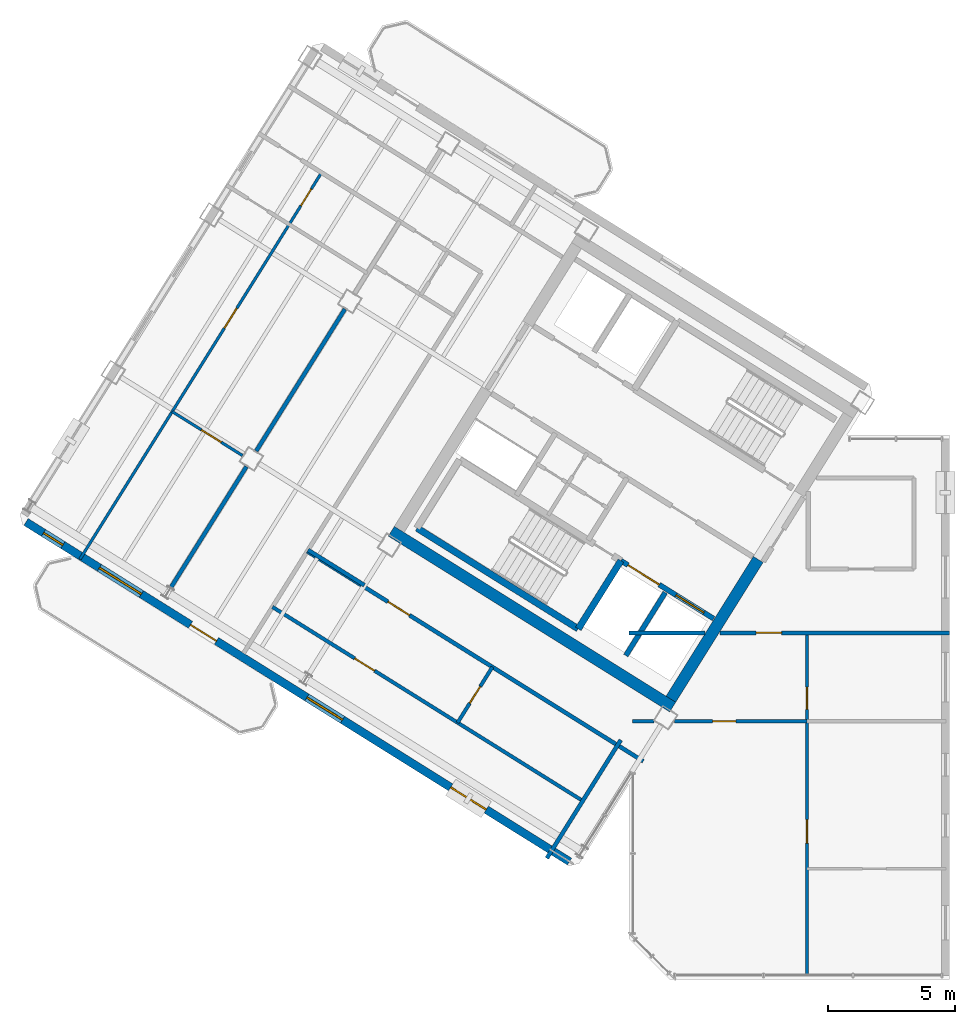
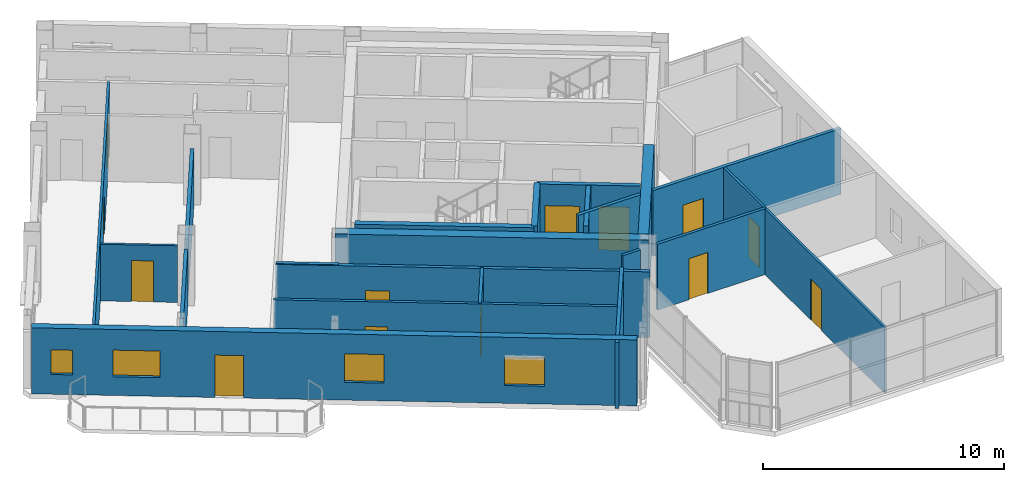
# One storey, part 7 of 12: 21 walls, 13 doors, 4 windows, 17 openings.
"""IFC4 building model written with IfcOpenShell, lengths in metres."""

from ifc_helpers import new_model, si_unit, direction, frame, frame_2d, origin, place, context, subcontext, project, spatial, rectangle, extrude, source, transform, mapped, material, layer, layer_set, type_object, element, fill, save


model = new_model("IFC4")

# Units and contexts
model_context = context("Model", 3, precision=1e-05, world=origin(), true_north=direction((0.0, 1.0)))
body_context = subcontext(model_context, "Body", "Model", "MODEL_VIEW")
ifc_project = project(units=[si_unit("LENGTHUNIT", "METRE"), si_unit("AREAUNIT", "SQUARE_METRE"), si_unit("VOLUMEUNIT", "CUBIC_METRE"), si_unit("PLANEANGLEUNIT", "RADIAN"), si_unit("MASSUNIT", "GRAM", prefix="KILO")], contexts=[model_context])

# Site, building, storey
site_placement = place(None, origin())
site = spatial("IfcSite", under=ifc_project, at=site_placement, CompositionType="ELEMENT")
building_placement = place(site_placement, origin())
building = spatial("IfcBuilding", under=site, at=building_placement, Name="Tlacorven Tower", CompositionType="ELEMENT")
storey_placement = place(building_placement, frame((0.0, 0.0, 288.0)))
storey = spatial("IfcBuildingStorey", under=building, at=storey_placement, Name="L73", CompositionType="ELEMENT", Elevation=288.0)

# Walls
ifc_material_1 = material(Name="Concrete C50/60", Category="concrete")
ifc_layer_1 = layer(ifc_material_1, 0.449951171875)
ifc_layer_set_1 = layer_set([ifc_layer_1], Name="Concrete C50/60")
wall_type_1 = type_object("IfcWallType", Name="WL-COR-450", PredefinedType="SHEAR", material=ifc_layer_set_1)
wall_1_placement = place(storey_placement, frame((33.32373046875, 12.5029296875, 0.0), z_axis=(0.0, 0.0, 1.0), x_axis=(-0.848043529849, 0.529926571782, 0.0)))
element("IfcWall", 1, at=wall_1_placement, inside=storey, type_object=wall_type_1, Name="L73 W core shear wall S2", PredefinedType="SHEAR", context=body_context, shape_type="SweptSolid", body=[
    extrude(rectangle(XDim=13.039794921875, YDim=0.449951171875, at=frame_2d((6.52001953125, 0.0))), origin(), (0.0, 0.0, 1.0), 3.35009765625),
])
wall_2_placement = place(storey_placement, frame((36.683349609375, 18.30419921875, 0.0), z_axis=(0.0, 0.0, 1.0), x_axis=(-0.529904039071, -0.848057609704, 0.0)))
element("IfcWall", 2, at=wall_2_placement, inside=storey, type_object=wall_type_1, Name="L73 W core end wall E1.2", PredefinedType="SHEAR", context=body_context, shape_type="SweptSolid", body=[
    extrude(rectangle(XDim=6.47509765625, YDim=0.449951171875, at=frame_2d((3.237548828125, 0.0))), origin(), (0.0, 0.0, 1.0), 3.35009765625),
])
ifc_material_2 = material(Name="Gypsum plasterboard acoustic partition", Category="gypsum")
ifc_layer_2 = layer(ifc_material_2, 0.159912109375)
ifc_layer_set_2 = layer_set([ifc_layer_2], Name="Gypsum plasterboard acoustic partition")
wall_type_2 = type_object("IfcWallType", Name="WL-DEM-160", PredefinedType="PARTITIONING", material=ifc_layer_set_2)
wall_3_placement = place(storey_placement, frame((21.20556640625, 17.29248046875, 0.0), z_axis=(0.0, 0.0, 1.0), x_axis=(-0.848050851465, 0.529914854792, 0.0)))
element("IfcWall", 3, at=wall_3_placement, inside=storey, type_object=wall_type_2, Name="L73 partition 23", PredefinedType="PARTITIONING", context=body_context, shape_type="SweptSolid", body=[
    extrude(rectangle(XDim=2.60986328125, YDim=0.159912109375, at=frame_2d((1.304931640625, 0.0))), origin(), (0.0, 0.0, 1.0), 3.340087890625),
])
wall_4_placement = place(storey_placement, frame((20.440185546875, 28.14501953125, 0.0), z_axis=(0.0, 0.0, 1.0), x_axis=(-0.529938869374, -0.84803584519, 0.0)))
element("IfcWall", 4, at=wall_4_placement, inside=storey, type_object=wall_type_2, Name="L73 WN Demising Wall 1", PredefinedType="PARTITIONING", context=body_context, shape_type="SweptSolid", body=[
    extrude(rectangle(XDim=6.575927734375, YDim=0.159912109375, at=frame_2d((3.2880859375, 0.0))), origin(), (0.0, 0.0, 1.0), 2.875),
])
wall_5_placement = place(storey_placement, frame((16.57177734375, 21.954345703125, 0.0), z_axis=(0.0, 0.0, 1.0), x_axis=(-0.529904903214, -0.848057069748, 0.0)))
element("IfcWall", 5, at=wall_5_placement, inside=storey, type_object=wall_type_2, Name="L73 WN Demising Wall 1", PredefinedType="PARTITIONING", context=body_context, shape_type="SweptSolid", body=[
    extrude(rectangle(XDim=5.60107421875, YDim=0.159912109375, at=frame_2d((2.800537109375, 0.0))), origin(), (0.0, 0.0, 1.0), 2.875),
])

# Wall, opening, door
wall_6_placement = place(storey_placement, frame((32.164306640625, 10.373779296875, 0.0), z_axis=(0.0, 0.0, 1.0), x_axis=(-0.848044107957, 0.529925646633, 0.0)))
wall_6 = element("IfcWall", 6, at=wall_6_placement, inside=storey, type_object=wall_type_2, Name="L73 partition 37", PredefinedType="PARTITIONING", context=body_context, shape_type="SweptSolid", body=[
    extrude(rectangle(XDim=15.570068359375, YDim=0.159912109375, at=frame_2d((7.78515625, 0.0))), origin(), (0.0, 0.0, 1.0), 3.340087890625),
])
opening_1_placement = place(wall_6_placement, frame((10.830078125, 0.0, 0.0)))
opening_1 = element("IfcOpeningElement", 7, at=opening_1_placement, cuts=wall_6, Name="Opening D11", PredefinedType="OPENING", context=body_context, shape_type="SweptSolid", body=[
    extrude(rectangle(XDim=1.0, YDim=2.10009765625, at=frame_2d((0.5, 1.050048828125))), frame((0.0, 0.08984375, 0.0), z_axis=(0.0, -1.0, 0.0), x_axis=(1.0, 0.0, 0.0)), (0.0, 0.0, 1.0), 0.179931640625),
])
ifc_material_3 = material(Name="Fire-rated steel door assembly", Category="steel")
door_type_1 = type_object("IfcDoorType", Name="DR-FLT-FD60-1000", OperationType="NOTDEFINED", PredefinedType="DOOR", material=ifc_material_3)
shared_shape_1 = source(origin(), body_context, "Body", "SweptSolid", [
    extrude(rectangle(XDim=1.0, YDim=2.10009765625, at=frame_2d((0.5, 1.050048828125))), frame((0.0, 0.02490234375, 0.0), z_axis=(0.0, -1.0, 0.0), x_axis=(1.0, 0.0, 0.0)), (0.0, 0.0, 1.0), 0.050048828125),
])
door_1_placement = place(opening_1_placement, origin())
door_1 = element("IfcDoor", 8, at=door_1_placement, inside=storey, type_object=door_type_1, Name="L73 door 025", OperationType="SINGLE_SWING_RIGHT", OverallHeight=2.10009765625, OverallWidth=1.0, PredefinedType="DOOR", context=body_context, shape_type="MappedRepresentation", body=[
    mapped(shared_shape_1, transform((0.0, 0.0, 0.0), scale=1.0)),
])
fill(opening_1, door_1)

# Walls
wall_7_placement = place(storey_placement, frame((31.282470703125, 11.2080078125, 0.0), z_axis=(0.0, 0.0, 1.0), x_axis=(-0.529938869374, -0.84803584519, 0.0)))
element("IfcWall", 9, at=wall_7_placement, inside=storey, type_object=wall_type_2, Name="L73 WC West Throat Wall", PredefinedType="PARTITIONING", context=body_context, shape_type="SweptSolid", body=[
    extrude(rectangle(XDim=5.47998046875, YDim=0.159912109375, at=frame_2d((2.739990234375, 0.0))), origin(), (0.0, 0.0, 1.0), 3.340087890625),
])
wall_8_placement = place(storey_placement, frame((31.60009765625, 15.419921875, 0.0), z_axis=(0.0, 0.0, 1.0), x_axis=(1.0, 0.0, 0.0)))
element("IfcWall", 10, at=wall_8_placement, inside=storey, type_object=wall_type_2, Name="L73 Knuckle Corridor South Wall", PredefinedType="PARTITIONING", context=body_context, shape_type="SweptSolid", body=[
    extrude(rectangle(XDim=2.984130859375, YDim=0.159912109375, at=frame_2d((1.4921875, 0.0))), origin(), (0.0, 0.0, 1.0), 3.340087890625),
])

# Wall, opening, door
wall_9_placement = place(storey_placement, frame((35.178466796875, 15.419921875, 0.0), z_axis=(0.0, 0.0, 1.0), x_axis=(1.0, 0.0, 0.0)))
wall_9 = element("IfcWall", 11, at=wall_9_placement, inside=storey, type_object=wall_type_2, Name="L73 Knuckle Corridor South Wall", PredefinedType="PARTITIONING", context=body_context, shape_type="SweptSolid", body=[
    extrude(rectangle(XDim=9.021484375, YDim=0.159912109375, at=frame_2d((4.5107421875, 0.0))), origin(), (0.0, 0.0, 1.0), 3.340087890625),
])
opening_2_placement = place(wall_9_placement, frame((1.421630859375, 0.0, 0.0)))
opening_2 = element("IfcOpeningElement", 12, at=opening_2_placement, cuts=wall_9, Name="Opening D11", PredefinedType="OPENING", context=body_context, shape_type="SweptSolid", body=[
    extrude(rectangle(XDim=1.0, YDim=2.10009765625, at=frame_2d((0.5, 1.050048828125))), frame((0.0, 0.08984375, 0.0), z_axis=(0.0, -1.0, 0.0), x_axis=(1.0, 0.0, 0.0)), (0.0, 0.0, 1.0), 0.179931640625),
])
door_2_placement = place(opening_2_placement, frame((1.0, 0.0, 0.0), z_axis=(0.0, 0.0, 1.0), x_axis=(-1.0, 0.0, 0.0)))
door_2 = element("IfcDoor", 13, at=door_2_placement, inside=storey, type_object=door_type_1, Name="L73 door 032", OperationType="SINGLE_SWING_RIGHT", OverallHeight=2.10009765625, OverallWidth=1.0, PredefinedType="DOOR", context=body_context, shape_type="MappedRepresentation", body=[
    mapped(shared_shape_1, transform((0.0, 0.0, 0.0), scale=1.0)),
])
fill(opening_2, door_2)

# Wall, openings, door, windows
ifc_material_4 = material(Name="Precast concrete C45/55", Category="concrete")
ifc_layer_3 = layer(ifc_material_4, 0.320068359375)
ifc_layer_set_3 = layer_set([ifc_layer_3], Name="Precast concrete C45/55")
wall_type_3 = type_object("IfcWallType", Name="WL-EXT-320", PredefinedType="STANDARD", material=ifc_layer_set_3)
wall_10_placement = place(storey_placement, frame((29.267822265625, 6.429443359375, 0.0), z_axis=(0.0, 0.0, 1.0), x_axis=(-0.848048398186, 0.529918780885, 0.0)))
wall_10 = element("IfcWall", 14, at=wall_10_placement, inside=storey, type_object=wall_type_3, Name="L73 Masonry-Frame Recessed Facade Wall 2", PredefinedType="STANDARD", context=body_context, shape_type="SweptSolid", body=[
    extrude(rectangle(XDim=25.187744140625, YDim=0.320068359375, at=frame_2d((12.59375, 0.0))), origin(), (0.0, 0.0, 1.0), 3.35009765625),
])
opening_3_placement = place(wall_10_placement, frame((16.36181640625, 0.0, 0.0)))
opening_3 = element("IfcOpeningElement", 15, at=opening_3_placement, cuts=wall_10, Name="Opening D05", PredefinedType="OPENING", context=body_context, shape_type="SweptSolid", body=[
    extrude(rectangle(XDim=1.199951171875, YDim=2.14990234375, at=frame_2d((0.60009765625, 1.074951171875))), frame((0.0, 0.169921875, 0.0), z_axis=(0.0, -1.0, 0.0), x_axis=(1.0, 0.0, 0.0)), (0.0, 0.0, 1.0), 0.340087890625),
])
opening_4_placement = place(wall_10_placement, frame((3.858642578125, 0.0, 0.89990234375)))
opening_4 = element("IfcOpeningElement", 16, at=opening_4_placement, cuts=wall_10, Name="Opening WN07", PredefinedType="OPENING", context=body_context, shape_type="SweptSolid", body=[
    extrude(rectangle(XDim=1.64990234375, YDim=1.449951171875, at=frame_2d((0.824951171875, 0.72509765625))), frame((0.0, 0.169921875, 0.0), z_axis=(0.0, -1.0, 0.0), x_axis=(1.0, 0.0, 0.0)), (0.0, 0.0, 1.0), 0.340087890625),
])
opening_5_placement = place(wall_10_placement, frame((10.518798828125, 0.0, 0.89990234375)))
opening_5 = element("IfcOpeningElement", 17, at=opening_5_placement, cuts=wall_10, Name="Opening WN07", PredefinedType="OPENING", context=body_context, shape_type="SweptSolid", body=[
    extrude(rectangle(XDim=1.64990234375, YDim=1.449951171875, at=frame_2d((0.824951171875, 0.72509765625))), frame((0.0, 0.169921875, 0.0), z_axis=(0.0, -1.0, 0.0), x_axis=(1.0, 0.0, 0.0)), (0.0, 0.0, 1.0), 0.340087890625),
])
opening_6_placement = place(wall_10_placement, frame((19.84130859375, 0.0, 0.949951171875)))
opening_6 = element("IfcOpeningElement", 18, at=opening_6_placement, cuts=wall_10, Name="Opening WN09", PredefinedType="OPENING", context=body_context, shape_type="SweptSolid", body=[
    extrude(rectangle(XDim=1.949951171875, YDim=1.35009765625, at=frame_2d((0.97509765625, 0.675048828125))), frame((0.0, 0.169921875, 0.0), z_axis=(0.0, -1.0, 0.0), x_axis=(1.0, 0.0, 0.0)), (0.0, 0.0, 1.0), 0.340087890625),
])
opening_7_placement = place(wall_10_placement, frame((23.47802734375, 0.0, 1.0)))
opening_7 = element("IfcOpeningElement", 19, at=opening_7_placement, cuts=wall_10, Name="Opening WN05", PredefinedType="OPENING", context=body_context, shape_type="SweptSolid", body=[
    extrude(rectangle(XDim=0.89990234375, YDim=1.25, at=frame_2d((0.449951171875, 0.625))), frame((0.0, 0.169921875, 0.0), z_axis=(0.0, -1.0, 0.0), x_axis=(1.0, 0.0, 0.0)), (0.0, 0.0, 1.0), 0.340087890625),
])
ifc_material_5 = material(Name="Powder-coated aluminium and timber door", Category="wood")
door_type_2 = type_object("IfcDoorType", Name="DR-EXT-BALC-1200", OperationType="NOTDEFINED", PredefinedType="DOOR", material=ifc_material_5)
shared_shape_2 = source(origin(), body_context, "Body", "SweptSolid", [
    extrude(rectangle(XDim=1.199951171875, YDim=2.14990234375, at=frame_2d((0.60009765625, 1.074951171875))), frame((0.0, 0.02490234375, 0.0), z_axis=(0.0, -1.0, 0.0), x_axis=(1.0, 0.0, 0.0)), (0.0, 0.0, 1.0), 0.050048828125),
])
door_3_placement = place(opening_3_placement, origin())
door_3 = element("IfcDoor", 20, at=door_3_placement, inside=storey, type_object=door_type_2, Name="L73 Outdoor Access Door BAL-L73-W-OUT", OperationType="SINGLE_SWING_LEFT", OverallHeight=2.14990234375, OverallWidth=1.199951171875, PredefinedType="DOOR", context=body_context, shape_type="MappedRepresentation", body=[
    mapped(shared_shape_2, transform((0.0, 0.0, 0.0), scale=1.0)),
])
fill(opening_3, door_3)
ifc_material_6 = material(Name="Dark solar low-E double glazing in anodised aluminium frame", Category="aluminium")
window_type_1 = type_object("IfcWindowType", Name="WN-APT-0900X1350", PartitioningType="SINGLE_PANEL", PredefinedType="WINDOW", material=ifc_material_6)
shared_shape_3 = source(origin(), body_context, "Body", "SweptSolid", [
    extrude(rectangle(XDim=0.89990234375, YDim=1.25, at=frame_2d((0.449951171875, 0.625))), frame((0.0, 0.030029296875, 0.0), z_axis=(0.0, -1.0, 0.0), x_axis=(1.0, 0.0, 0.0)), (0.0, 0.0, 1.0), 0.06005859375),
])
window_1_placement = place(opening_7_placement, origin())
window_1 = element("IfcWindow", 21, at=window_1_placement, inside=storey, type_object=window_type_1, Name="L73 Recessed Masonry-Frame Window L73-02.4", OverallHeight=1.25, OverallWidth=0.89990234375, PartitioningType="SINGLE_PANEL", PredefinedType="WINDOW", context=body_context, shape_type="MappedRepresentation", body=[
    mapped(shared_shape_3, transform((0.0, 0.0, 0.0), scale=1.0)),
])
fill(opening_7, window_1)
window_type_2 = type_object("IfcWindowType", Name="WN-APT-1650X1600", PartitioningType="SINGLE_PANEL", PredefinedType="WINDOW", material=ifc_material_6)
shared_shape_4 = source(origin(), body_context, "Body", "SweptSolid", [
    extrude(rectangle(XDim=1.64990234375, YDim=1.449951171875, at=frame_2d((0.824951171875, 0.72509765625))), frame((0.0, 0.030029296875, 0.0), z_axis=(0.0, -1.0, 0.0), x_axis=(1.0, 0.0, 0.0)), (0.0, 0.0, 1.0), 0.06005859375),
])
window_2_placement = place(opening_4_placement, origin())
window_2 = element("IfcWindow", 22, at=window_2_placement, inside=storey, type_object=window_type_2, Name="L73 Recessed Masonry-Frame Window L73-02.1", OverallHeight=1.449951171875, OverallWidth=1.64990234375, PartitioningType="SINGLE_PANEL", PredefinedType="WINDOW", context=body_context, shape_type="MappedRepresentation", body=[
    mapped(shared_shape_4, transform((0.0, 0.0, 0.0), scale=1.0)),
])
fill(opening_4, window_2)
window_3_placement = place(opening_5_placement, origin())
window_3 = element("IfcWindow", 23, at=window_3_placement, inside=storey, type_object=window_type_2, Name="L73 Recessed Masonry-Frame Window L73-02.2", OverallHeight=1.449951171875, OverallWidth=1.64990234375, PartitioningType="SINGLE_PANEL", PredefinedType="WINDOW", context=body_context, shape_type="MappedRepresentation", body=[
    mapped(shared_shape_4, transform((0.0, 0.0, 0.0), scale=1.0)),
])
fill(opening_5, window_3)
window_type_3 = type_object("IfcWindowType", Name="WN-GAL-1950X1450", PartitioningType="SINGLE_PANEL", PredefinedType="WINDOW", material=ifc_material_6)
shared_shape_5 = source(origin(), body_context, "Body", "SweptSolid", [
    extrude(rectangle(XDim=1.949951171875, YDim=1.35009765625, at=frame_2d((0.97509765625, 0.675048828125))), frame((0.0, 0.030029296875, 0.0), z_axis=(0.0, -1.0, 0.0), x_axis=(1.0, 0.0, 0.0)), (0.0, 0.0, 1.0), 0.06005859375),
])
window_4_placement = place(opening_6_placement, origin())
window_4 = element("IfcWindow", 24, at=window_4_placement, inside=storey, type_object=window_type_3, Name="L73 Recessed Masonry-Frame Window L73-02.3", OverallHeight=1.35009765625, OverallWidth=1.949951171875, PartitioningType="SINGLE_PANEL", PredefinedType="WINDOW", context=body_context, shape_type="MappedRepresentation", body=[
    mapped(shared_shape_5, transform((0.0, 0.0, 0.0), scale=1.0)),
])
fill(opening_6, window_4)

# Wall, openings, doors
ifc_material_7 = material(Name="Gypsum plasterboard partition", Category="gypsum")
ifc_layer_4 = layer(ifc_material_7, 0.110107421875)
ifc_layer_set_4 = layer_set([ifc_layer_4], Name="Gypsum plasterboard partition")
wall_type_4 = type_object("IfcWallType", Name="WL-INT-110", PredefinedType="PARTITIONING", material=ifc_layer_set_4)
wall_11_placement = place(storey_placement, frame((19.522705078125, 33.50830078125, 0.0), z_axis=(0.0, 0.0, 1.0), x_axis=(-0.529910765222, -0.848053406869, 0.0)))
wall_11 = element("IfcWall", 25, at=wall_11_placement, inside=storey, type_object=wall_type_4, Name="L73 partition 31", PredefinedType="PARTITIONING", context=body_context, shape_type="SweptSolid", body=[
    extrude(rectangle(XDim=17.920166015625, YDim=0.110107421875, at=frame_2d((8.9599609375, 0.0))), origin(), (0.0, 0.0, 1.0), 3.340087890625),
])
opening_8_placement = place(wall_11_placement, frame((0.760009765625, 0.0, 0.0)))
opening_8 = element("IfcOpeningElement", 26, at=opening_8_placement, cuts=wall_11, Name="Opening D22", PredefinedType="OPENING", context=body_context, shape_type="SweptSolid", body=[
    extrude(rectangle(XDim=0.780029296875, YDim=2.050048828125, at=frame_2d((0.39013671875, 1.02490234375))), frame((0.0, 0.06494140625, 0.0), z_axis=(0.0, -1.0, 0.0), x_axis=(1.0, 0.0, 0.0)), (0.0, 0.0, 1.0), 0.130126953125),
])
opening_9_placement = place(wall_11_placement, frame((6.28857421875, 0.0, 0.0)))
opening_9 = element("IfcOpeningElement", 27, at=opening_9_placement, cuts=wall_11, Name="Opening D12", PredefinedType="OPENING", context=body_context, shape_type="SweptSolid", body=[
    extrude(rectangle(XDim=0.919921875, YDim=2.080078125, at=frame_2d((0.4599609375, 1.0400390625))), frame((0.0, 0.06494140625, 0.0), z_axis=(0.0, -1.0, 0.0), x_axis=(1.0, 0.0, 0.0)), (0.0, 0.0, 1.0), 0.130126953125),
])
door_type_3 = type_object("IfcDoorType", Name="DR-INT-WET-0780", OperationType="NOTDEFINED", PredefinedType="DOOR", material=ifc_material_5)
shared_shape_6 = source(origin(), body_context, "Body", "SweptSolid", [
    extrude(rectangle(XDim=0.780029296875, YDim=2.050048828125, at=frame_2d((0.39013671875, 1.02490234375))), frame((0.0, 0.02490234375, 0.0), z_axis=(0.0, -1.0, 0.0), x_axis=(1.0, 0.0, 0.0)), (0.0, 0.0, 1.0), 0.050048828125),
])
door_4_placement = place(opening_8_placement, origin())
door_4 = element("IfcDoor", 28, at=door_4_placement, inside=storey, type_object=door_type_3, Name="L73 door 020", OperationType="SINGLE_SWING_LEFT", OverallHeight=2.050048828125, OverallWidth=0.780029296875, PredefinedType="DOOR", context=body_context, shape_type="MappedRepresentation", body=[
    mapped(shared_shape_6, transform((0.0, 0.0, 0.0), scale=1.0)),
])
fill(opening_8, door_4)
door_type_4 = type_object("IfcDoorType", Name="DR-INT-ROOM-0920", OperationType="NOTDEFINED", PredefinedType="DOOR", material=ifc_material_5)
shared_shape_7 = source(origin(), body_context, "Body", "SweptSolid", [
    extrude(rectangle(XDim=0.919921875, YDim=2.080078125, at=frame_2d((0.4599609375, 1.0400390625))), frame((0.0, 0.02490234375, 0.0), z_axis=(0.0, -1.0, 0.0), x_axis=(1.0, 0.0, 0.0)), (0.0, 0.0, 1.0), 0.050048828125),
])
door_5_placement = place(opening_9_placement, origin())
door_5 = element("IfcDoor", 29, at=door_5_placement, inside=storey, type_object=door_type_4, Name="L73 door 021", OperationType="SINGLE_SWING_RIGHT", OverallHeight=2.080078125, OverallWidth=0.919921875, PredefinedType="DOOR", context=body_context, shape_type="MappedRepresentation", body=[
    mapped(shared_shape_7, transform((0.0, 0.0, 0.0), scale=1.0)),
])
fill(opening_9, door_5)

# Wall, opening, door
wall_12_placement = place(storey_placement, frame((16.415771484375, 22.387939453125, 0.0), z_axis=(0.0, 0.0, 1.0), x_axis=(-0.84806986598, 0.529884423641, 0.0)))
wall_12 = element("IfcWall", 30, at=wall_12_placement, inside=storey, type_object=wall_type_4, Name="L73 partition 35", PredefinedType="PARTITIONING", context=body_context, shape_type="SweptSolid", body=[
    extrude(rectangle(XDim=3.2578125, YDim=0.110107421875, at=frame_2d((1.62890625, 0.0))), origin(), (0.0, 0.0, 1.0), 2.875),
])
opening_10_placement = place(wall_12_placement, frame((0.988037109375, 0.0, 0.0)))
opening_10 = element("IfcOpeningElement", 31, at=opening_10_placement, cuts=wall_12, Name="Opening D12", PredefinedType="OPENING", context=body_context, shape_type="SweptSolid", body=[
    extrude(rectangle(XDim=0.919921875, YDim=2.080078125, at=frame_2d((0.4599609375, 1.0400390625))), frame((0.0, 0.06494140625, 0.0), z_axis=(0.0, -1.0, 0.0), x_axis=(1.0, 0.0, 0.0)), (0.0, 0.0, 1.0), 0.130126953125),
])
door_6_placement = place(opening_10_placement, origin())
door_6 = element("IfcDoor", 32, at=door_6_placement, inside=storey, type_object=door_type_4, Name="L73 door 022", OperationType="SINGLE_SWING_LEFT", OverallHeight=2.080078125, OverallWidth=0.919921875, PredefinedType="DOOR", context=body_context, shape_type="MappedRepresentation", body=[
    mapped(shared_shape_7, transform((0.0, 0.0, 0.0), scale=1.0)),
])
fill(opening_10, door_6)

# Wall, openings, doors
wall_13_placement = place(storey_placement, frame((38.60009765625, 1.9599609375, 0.0), z_axis=(0.0, 0.0, 1.0), x_axis=(0.0, 1.0, 0.0)))
wall_13 = element("IfcWall", 33, at=wall_13_placement, inside=storey, type_object=wall_type_4, Name="L73 partition 47", PredefinedType="PARTITIONING", context=body_context, shape_type="SweptSolid", body=[
    extrude(rectangle(XDim=13.4599609375, YDim=0.110107421875, at=frame_2d((6.72998046875, 0.0))), origin(), (0.0, 0.0, 1.0), 3.340087890625),
])
opening_11_placement = place(wall_13_placement, frame((5.199951171875, 0.0, 0.0)))
opening_11 = element("IfcOpeningElement", 34, at=opening_11_placement, cuts=wall_13, Name="Opening D12", PredefinedType="OPENING", context=body_context, shape_type="SweptSolid", body=[
    extrude(rectangle(XDim=0.919921875, YDim=2.080078125, at=frame_2d((0.4599609375, 1.0400390625))), frame((0.0, 0.06494140625, 0.0), z_axis=(0.0, -1.0, 0.0), x_axis=(1.0, 0.0, 0.0)), (0.0, 0.0, 1.0), 0.130126953125),
])
opening_12_placement = place(wall_13_placement, frame((10.449951171875, 0.0, 0.0)))
opening_12 = element("IfcOpeningElement", 35, at=opening_12_placement, cuts=wall_13, Name="Opening D13", PredefinedType="OPENING", context=body_context, shape_type="SweptSolid", body=[
    extrude(rectangle(XDim=0.8798828125, YDim=2.080078125, at=frame_2d((0.43994140625, 1.0400390625))), frame((0.0, 0.06494140625, 0.0), z_axis=(0.0, -1.0, 0.0), x_axis=(1.0, 0.0, 0.0)), (0.0, 0.0, 1.0), 0.130126953125),
])
door_type_5 = type_object("IfcDoorType", Name="DR-INT-WET-0880", OperationType="NOTDEFINED", PredefinedType="DOOR", material=ifc_material_5)
shared_shape_8 = source(origin(), body_context, "Body", "SweptSolid", [
    extrude(rectangle(XDim=0.8798828125, YDim=2.080078125, at=frame_2d((0.43994140625, 1.0400390625))), frame((0.0, 0.02490234375, 0.0), z_axis=(0.0, -1.0, 0.0), x_axis=(1.0, 0.0, 0.0)), (0.0, 0.0, 1.0), 0.050048828125),
])
door_7_placement = place(opening_12_placement, origin())
door_7 = element("IfcDoor", 36, at=door_7_placement, inside=storey, type_object=door_type_5, Name="L73 door 034", OperationType="SINGLE_SWING_RIGHT", OverallHeight=2.080078125, OverallWidth=0.8798828125, PredefinedType="DOOR", context=body_context, shape_type="MappedRepresentation", body=[
    mapped(shared_shape_8, transform((0.0, 0.0, 0.0), scale=1.0)),
])
fill(opening_12, door_7)
door_8_placement = place(opening_11_placement, origin())
door_8 = element("IfcDoor", 37, at=door_8_placement, inside=storey, type_object=door_type_4, Name="L73 door 030", OperationType="SINGLE_SWING_RIGHT", OverallHeight=2.080078125, OverallWidth=0.919921875, PredefinedType="DOOR", context=body_context, shape_type="MappedRepresentation", body=[
    mapped(shared_shape_7, transform((0.0, 0.0, 0.0), scale=1.0)),
])
fill(opening_11, door_8)

# Wall, opening, door
ifc_material_8 = material(Name="Moisture-resistant gypsum plumbing wall", Category="gypsum")
ifc_layer_5 = layer(ifc_material_8, 0.139892578125)
ifc_layer_set_5 = layer_set([ifc_layer_5], Name="Moisture-resistant gypsum plumbing wall")
wall_type_5 = type_object("IfcWallType", Name="WL-PLM-140", PredefinedType="PLUMBINGWALL", material=ifc_layer_set_5)
wall_14_placement = place(storey_placement, frame((29.72021484375, 8.85888671875, 0.0), z_axis=(0.0, 0.0, 1.0), x_axis=(-0.848049134363, 0.529917602752, 0.0)))
wall_14 = element("IfcWall", 38, at=wall_14_placement, inside=storey, type_object=wall_type_5, Name="L73 partition 39", PredefinedType="PLUMBINGWALL", context=body_context, shape_type="SweptSolid", body=[
    extrude(rectangle(XDim=14.300048828125, YDim=0.139892578125, at=frame_2d((7.14990234375, 0.0))), origin(), (0.0, 0.0, 1.0), 3.340087890625),
])
opening_13_placement = place(wall_14_placement, frame((9.570068359375, 0.0, 0.0)))
opening_13 = element("IfcOpeningElement", 39, at=opening_13_placement, cuts=wall_14, Name="Opening D12", PredefinedType="OPENING", context=body_context, shape_type="SweptSolid", body=[
    extrude(rectangle(XDim=0.919921875, YDim=2.080078125, at=frame_2d((0.4599609375, 1.0400390625))), frame((0.0, 0.080078125, 0.0), z_axis=(0.0, -1.0, 0.0), x_axis=(1.0, 0.0, 0.0)), (0.0, 0.0, 1.0), 0.159912109375),
])
door_9_placement = place(opening_13_placement, origin())
door_9 = element("IfcDoor", 40, at=door_9_placement, inside=storey, type_object=door_type_4, Name="L73 door 026", OperationType="SINGLE_SWING_LEFT", OverallHeight=2.080078125, OverallWidth=0.919921875, PredefinedType="DOOR", context=body_context, shape_type="MappedRepresentation", body=[
    mapped(shared_shape_7, transform((0.0, 0.0, 0.0), scale=1.0)),
])
fill(opening_13, door_9)

wall_15_placement = place(storey_placement, frame((26.236572265625, 14.077880859375, 0.0), z_axis=(0.0, 0.0, 1.0), x_axis=(-0.52995640672, -0.848024885824, 0.0)))
wall_15 = element("IfcWall", 41, at=wall_15_placement, inside=storey, type_object=wall_type_5, Name="L73 partition 40", PredefinedType="PLUMBINGWALL", context=body_context, shape_type="SweptSolid", body=[
    extrude(rectangle(XDim=2.579833984375, YDim=0.139892578125, at=frame_2d((1.2900390625, 0.0))), origin(), (0.0, 0.0, 1.0), 3.340087890625),
])
opening_14_placement = place(wall_15_placement, frame((0.89990234375, 0.0, 0.0)))
opening_14 = element("IfcOpeningElement", 42, at=opening_14_placement, cuts=wall_15, Name="Opening D22", PredefinedType="OPENING", context=body_context, shape_type="SweptSolid", body=[
    extrude(rectangle(XDim=0.780029296875, YDim=2.050048828125, at=frame_2d((0.39013671875, 1.02490234375))), frame((0.0, 0.080078125, 0.0), z_axis=(0.0, -1.0, 0.0), x_axis=(1.0, 0.0, 0.0)), (0.0, 0.0, 1.0), 0.159912109375),
])
door_10_placement = place(opening_14_placement, origin())
door_10 = element("IfcDoor", 43, at=door_10_placement, inside=storey, type_object=door_type_3, Name="L73 door 027", OperationType="SINGLE_SWING_RIGHT", OverallHeight=2.050048828125, OverallWidth=0.780029296875, PredefinedType="DOOR", context=body_context, shape_type="MappedRepresentation", body=[
    mapped(shared_shape_6, transform((0.0, 0.0, 0.0), scale=1.0)),
])
fill(opening_14, door_10)

# Wall
wall_16_placement = place(storey_placement, frame((31.739990234375, 11.949951171875, 0.0), z_axis=(0.0, 0.0, 1.0), x_axis=(1.0, 0.0, 0.0)))
element("IfcWall", 44, at=wall_16_placement, inside=storey, type_object=wall_type_5, Name="L73 partition 48", PredefinedType="PLUMBINGWALL", context=body_context, shape_type="SweptSolid", body=[
    extrude(rectangle(XDim=0.842041015625, YDim=0.139892578125, at=frame_2d((0.4208984375, 0.0))), origin(), (0.0, 0.0, 1.0), 3.340087890625),
])

# Wall, opening, door
wall_17_placement = place(storey_placement, frame((33.387451171875, 11.949951171875, 0.0), z_axis=(0.0, 0.0, 1.0), x_axis=(1.0, 0.0, 0.0)))
wall_17 = element("IfcWall", 45, at=wall_17_placement, inside=storey, type_object=wall_type_5, Name="L73 partition 48", PredefinedType="PLUMBINGWALL", context=body_context, shape_type="SweptSolid", body=[
    extrude(rectangle(XDim=5.212646484375, YDim=0.139892578125, at=frame_2d((2.6064453125, 0.0))), origin(), (0.0, 0.0, 1.0), 3.340087890625),
])
opening_15_placement = place(wall_17_placement, frame((1.50244140625, 0.0, 0.0)))
opening_15 = element("IfcOpeningElement", 46, at=opening_15_placement, cuts=wall_17, Name="Opening D12", PredefinedType="OPENING", context=body_context, shape_type="SweptSolid", body=[
    extrude(rectangle(XDim=0.919921875, YDim=2.080078125, at=frame_2d((0.4599609375, 1.0400390625))), frame((0.0, 0.080078125, 0.0), z_axis=(0.0, -1.0, 0.0), x_axis=(1.0, 0.0, 0.0)), (0.0, 0.0, 1.0), 0.159912109375),
])
door_11_placement = place(opening_15_placement, frame((0.919921875, 0.0, 0.0), z_axis=(0.0, 0.0, 1.0), x_axis=(-1.0, 0.0, 0.0)))
door_11 = element("IfcDoor", 47, at=door_11_placement, inside=storey, type_object=door_type_4, Name="L73 door 033", OperationType="SINGLE_SWING_LEFT", OverallHeight=2.080078125, OverallWidth=0.919921875, PredefinedType="DOOR", context=body_context, shape_type="MappedRepresentation", body=[
    mapped(shared_shape_7, transform((0.0, 0.0, 0.0), scale=1.0)),
])
fill(opening_15, door_11)

# Wall, openings, doors
ifc_material_9 = material(Name="Concrete C40/50", Category="concrete")
ifc_layer_6 = layer(ifc_material_9, 0.199951171875)
ifc_layer_set_6 = layer_set([ifc_layer_6], Name="Concrete C40/50")
wall_type_6 = type_object("IfcWallType", Name="WL-SHF-200", PredefinedType="STANDARD", material=ifc_layer_set_6)
wall_18_placement = place(storey_placement, frame((34.93310546875, 15.978271484375, 0.0), z_axis=(0.0, 0.0, 1.0), x_axis=(-0.848055739377, 0.529907032327, 0.0)))
wall_18 = element("IfcWall", 48, at=wall_18_placement, inside=storey, type_object=wall_type_6, Name="L73 Core W Firefighting Lift Shaft Front Wall", PredefinedType="STANDARD", context=body_context, shape_type="SweptSolid", body=[
    extrude(rectangle(XDim=4.298095703125, YDim=0.199951171875, at=frame_2d((2.14892578125, 0.0))), origin(), (0.0, 0.0, 1.0), 3.340087890625),
])
opening_16_placement = place(wall_18_placement, frame((0.447998046875, 0.0, 0.0)))
opening_16 = element("IfcOpeningElement", 49, at=opening_16_placement, cuts=wall_18, Name="Opening LD03", PredefinedType="OPENING", context=body_context, shape_type="SweptSolid", body=[
    extrude(rectangle(XDim=1.300048828125, YDim=2.199951171875, at=frame_2d((0.64990234375, 1.10009765625))), frame((0.0, 0.10986328125, 0.0), z_axis=(0.0, -1.0, 0.0), x_axis=(1.0, 0.0, 0.0)), (0.0, 0.0, 1.0), 0.219970703125),
])
opening_17_placement = place(wall_18_placement, frame((2.52294921875, 0.0, 0.0)))
opening_17 = element("IfcOpeningElement", 50, at=opening_17_placement, cuts=wall_18, Name="Opening LD04", PredefinedType="OPENING", context=body_context, shape_type="SweptSolid", body=[
    extrude(rectangle(XDim=1.449951171875, YDim=2.25, at=frame_2d((0.72509765625, 1.125))), frame((0.0, 0.10986328125, 0.0), z_axis=(0.0, -1.0, 0.0), x_axis=(1.0, 0.0, 0.0)), (0.0, 0.0, 1.0), 0.219970703125),
])
door_type_6 = type_object("IfcDoorType", Name="DR-LFT-SLID-1300", OperationType="DOUBLE_DOOR_SLIDING", PredefinedType="DOOR", material=ifc_material_3)
shared_shape_9 = source(origin(), body_context, "Body", "SweptSolid", [
    extrude(rectangle(XDim=1.300048828125, YDim=2.199951171875, at=frame_2d((0.64990234375, 1.10009765625))), frame((0.0, 0.02490234375, 0.0), z_axis=(0.0, -1.0, 0.0), x_axis=(1.0, 0.0, 0.0)), (0.0, 0.0, 1.0), 0.050048828125),
])
door_12_placement = place(opening_16_placement, origin())
door_12 = element("IfcDoor", 51, at=door_12_placement, inside=storey, type_object=door_type_6, Name="L73 Lift FFL-W1 Sliding Landing Door", OperationType="DOUBLE_DOOR_SLIDING", OverallHeight=2.199951171875, OverallWidth=1.300048828125, PredefinedType="DOOR", context=body_context, shape_type="MappedRepresentation", body=[
    mapped(shared_shape_9, transform((0.0, 0.0, 0.0), scale=1.0)),
])
fill(opening_16, door_12)
door_type_7 = type_object("IfcDoorType", Name="DR-LFT-SLID-1450", OperationType="DOUBLE_DOOR_SLIDING", PredefinedType="DOOR", material=ifc_material_3)
shared_shape_10 = source(origin(), body_context, "Body", "SweptSolid", [
    extrude(rectangle(XDim=1.449951171875, YDim=2.25, at=frame_2d((0.72509765625, 1.125))), frame((0.0, 0.02490234375, 0.0), z_axis=(0.0, -1.0, 0.0), x_axis=(1.0, 0.0, 0.0)), (0.0, 0.0, 1.0), 0.050048828125),
])
door_13_placement = place(opening_17_placement, origin())
door_13 = element("IfcDoor", 52, at=door_13_placement, inside=storey, type_object=door_type_7, Name="L73 Lift SVL-W1 Sliding Landing Door", OperationType="DOUBLE_DOOR_SLIDING", OverallHeight=2.25, OverallWidth=1.449951171875, PredefinedType="DOOR", context=body_context, shape_type="MappedRepresentation", body=[
    mapped(shared_shape_10, transform((0.0, 0.0, 0.0), scale=1.0)),
])
fill(opening_17, door_13)

# Walls
wall_19_placement = place(storey_placement, frame((33.02880859375, 17.003173828125, 0.0), z_axis=(0.0, 0.0, 1.0), x_axis=(-0.529916267533, -0.848049968695, 0.0)))
element("IfcWall", 53, at=wall_19_placement, inside=storey, type_object=wall_type_6, Name="L73 partition 11", PredefinedType="STANDARD", context=body_context, shape_type="SweptSolid", body=[
    extrude(rectangle(XDim=2.919921875, YDim=0.199951171875, at=frame_2d((1.4599609375, 0.0))), origin(), (0.0, 0.0, 1.0), 3.340087890625),
])
ifc_layer_7 = layer(ifc_material_1, 0.260009765625)
ifc_layer_set_7 = layer_set([ifc_layer_7], Name="Concrete C50/60")
wall_type_7 = type_object("IfcWallType", Name="WL-STW-260", PredefinedType="SHEAR", material=ifc_layer_set_7)
wall_20_placement = place(storey_placement, frame((29.60498046875, 15.581298828125, 0.0), z_axis=(0.0, 0.0, 1.0), x_axis=(-0.848036911448, 0.529937163087, 0.0)))
element("IfcWall", 54, at=wall_20_placement, inside=storey, type_object=wall_type_7, Name="L73 Stair W1 Far Shear Wall", PredefinedType="SHEAR", context=body_context, shape_type="SweptSolid", body=[
    extrude(rectangle(XDim=7.4599609375, YDim=0.260009765625, at=frame_2d((3.72998046875, 0.0))), origin(), (0.0, 0.0, 1.0), 3.35009765625),
])
wall_21_placement = place(storey_placement, frame((31.2880859375, 18.255859375, 0.0), z_axis=(0.0, 0.0, 1.0), x_axis=(-0.529943379326, -0.848033026897, 0.0)))
element("IfcWall", 55, at=wall_21_placement, inside=storey, type_object=wall_type_7, Name="L73 Stair W1 West Shear Wall", PredefinedType="SHEAR", context=body_context, shape_type="SweptSolid", body=[
    extrude(rectangle(XDim=3.159912109375, YDim=0.260009765625, at=frame_2d((1.580078125, 0.0))), origin(), (0.0, 0.0, 1.0), 3.35009765625),
])

save(model, "model.ifc")
